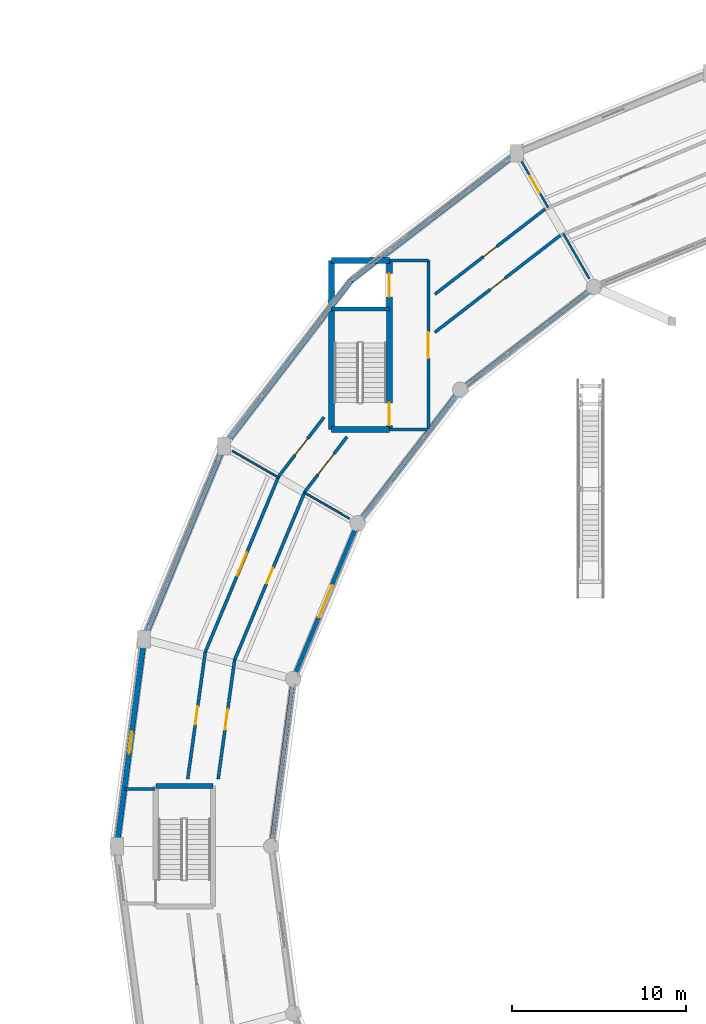
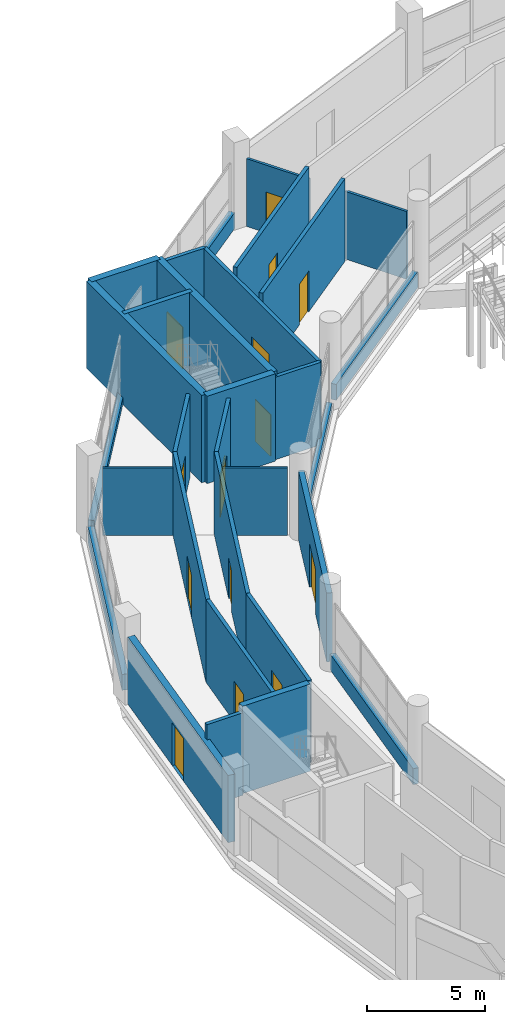
# One storey, part 109 of 129: 30 walls, 14 doors, 14 openings.
"""IFC4 building model written with IfcOpenShell, lengths in metres."""

from ifc_helpers import new_model, si_unit, direction, frame, frame_2d, origin, place, context, subcontext, project, spatial, rectangle, extrude, material, layer, layer_set, type_object, element, fill, save


model = new_model("IFC4")

# Units and contexts
model_context = context("Model", 3, precision=1e-05, world=origin(), true_north=direction((0.0, 1.0)))
body_context = subcontext(model_context, "Body", "Model", "MODEL_VIEW")
ifc_project = project(units=[si_unit("LENGTHUNIT", "METRE"), si_unit("AREAUNIT", "SQUARE_METRE"), si_unit("VOLUMEUNIT", "CUBIC_METRE"), si_unit("PLANEANGLEUNIT", "RADIAN"), si_unit("MASSUNIT", "GRAM", prefix="KILO")], contexts=[model_context])

# Site, building, storey
site_placement = place(None, origin())
site = spatial("IfcSite", under=ifc_project, at=site_placement, CompositionType="ELEMENT")
building_placement = place(site_placement, origin())
building = spatial("IfcBuilding", under=site, at=building_placement, Name="Vespera Passage Community Centre", CompositionType="ELEMENT")
storey_placement = place(building_placement, origin())
storey = spatial("IfcBuildingStorey", under=building, at=storey_placement, Name="L00", CompositionType="ELEMENT", Elevation=0.0)

# Wall
ifc_material_1 = material(Name="Concrete f'c 45 MPa", Category="concrete")
ifc_layer_1 = layer(ifc_material_1, 0.300048828125)
ifc_layer_set_1 = layer_set([ifc_layer_1], Name="Concrete f'c 45 MPa")
wall_type_1 = type_object("IfcWallType", Name="WT-CORE-300I", PredefinedType="SHEAR", material=ifc_layer_set_1)
wall_1_placement = place(storey_placement, frame((34.14990234375, 68.97509765625, 0.0), z_axis=(0.0, 0.0, 1.0), x_axis=(1.0, 0.0, 0.0)))
element("IfcWall", 1, at=wall_1_placement, inside=storey, type_object=wall_type_1, Name="Core C2 L00 Shear Wall RIGHT", PredefinedType="SHEAR", context=body_context, shape_type="SweptSolid", body=[
    extrude(rectangle(XDim=3.300048828125, YDim=0.300048828125, at=frame_2d((1.64990234375, 0.0))), origin(), (0.0, 0.0, 1.0), 4.5),
])

# Wall, openings, doors
ifc_material_2 = material(Name="Concrete f'c 45 MPa", Category="concrete")
ifc_layer_2 = layer(ifc_material_2, 0.340087890625)
ifc_layer_set_2 = layer_set([ifc_layer_2], Name="Concrete f'c 45 MPa")
wall_type_2 = type_object("IfcWallType", Name="WT-CORE-340I", PredefinedType="SHEAR", material=ifc_layer_set_2)
wall_2_placement = place(storey_placement, frame((47.60302734375, 99.238037109375, 0.0), z_axis=(0.0, 0.0, 1.0), x_axis=(0.0, -1.0, 0.0)))
wall_2 = element("IfcWall", 2, at=wall_2_placement, inside=storey, type_object=wall_type_2, Name="Core C1 L00 Shear Wall FRONT", PredefinedType="SHEAR", context=body_context, shape_type="SweptSolid", body=[
    extrude(rectangle(XDim=9.72998046875, YDim=0.340087890625, at=frame_2d((4.864990234375, 0.0))), origin(), (0.0, 0.0, 1.0), 4.5),
])
opening_1_placement = place(wall_2_placement, frame((8.18994140625, 0.0, 0.0)))
opening_1 = element("IfcOpeningElement", 3, at=opening_1_placement, cuts=wall_2, Name="Opening DT-STAIR-130", PredefinedType="OPENING", context=body_context, shape_type="SweptSolid", body=[
    extrude(rectangle(XDim=1.300048828125, YDim=2.14990234375, at=frame_2d((0.64990234375, 1.074951171875))), frame((0.0, 0.179931640625, 0.0), z_axis=(0.0, -1.0, 0.0), x_axis=(1.0, 0.0, 0.0)), (0.0, 0.0, 1.0), 0.360107421875),
])
opening_2_placement = place(wall_2_placement, frame((0.7451171875, 0.0, 0.0)))
opening_2 = element("IfcOpeningElement", 4, at=opening_2_placement, cuts=wall_2, Name="Opening DT-LIFT-135", PredefinedType="OPENING", context=body_context, shape_type="SweptSolid", body=[
    extrude(rectangle(XDim=1.35009765625, YDim=2.14990234375, at=frame_2d((0.675048828125, 1.074951171875))), frame((0.0, 0.179931640625, 0.0), z_axis=(0.0, -1.0, 0.0), x_axis=(1.0, 0.0, 0.0)), (0.0, 0.0, 1.0), 0.360107421875),
])
ifc_material_3 = material(Name="Painted hollow-metal acoustic door", Category="steel")
door_type_1 = type_object("IfcDoorType", Name="DT-LIFT-135", OperationType="NOTDEFINED", PredefinedType="DOOR", material=ifc_material_3)
door_1_placement = place(opening_2_placement, origin())
door_1 = element("IfcDoor", 5, at=door_1_placement, inside=storey, type_object=door_type_1, Name="Elevator EL-03 L00 Landing Door LD-002", OperationType="SLIDING_TO_LEFT", OverallHeight=2.14990234375, OverallWidth=1.35009765625, PredefinedType="DOOR", context=body_context, shape_type="SweptSolid", body=[
    extrude(rectangle(XDim=1.35009765625, YDim=2.14990234375, at=frame_2d((0.675048828125, 1.074951171875))), frame((0.0, 0.02490234375, 0.0), z_axis=(0.0, -1.0, 0.0), x_axis=(1.0, 0.0, 0.0)), (0.0, 0.0, 1.0), 0.050048828125),
])
fill(opening_2, door_1)
ifc_material_4 = material(Name="Painted hollow-metal acoustic door", Category="steel")
door_type_2 = type_object("IfcDoorType", Name="DT-STAIR-130", OperationType="NOTDEFINED", PredefinedType="DOOR", material=ifc_material_4)
door_2_placement = place(opening_1_placement, origin())
door_2 = element("IfcDoor", 6, at=door_2_placement, inside=storey, type_object=door_type_2, Name="Core C1 L00 Exit Stair Door D-050", OperationType="SINGLE_SWING_RIGHT", OverallHeight=2.14990234375, OverallWidth=1.300048828125, PredefinedType="DOOR", context=body_context, shape_type="SweptSolid", body=[
    extrude(rectangle(XDim=1.300048828125, YDim=2.14990234375, at=frame_2d((0.64990234375, 1.074951171875))), frame((0.0, 0.02490234375, 0.0), z_axis=(0.0, -1.0, 0.0), x_axis=(1.0, 0.0, 0.0)), (0.0, 0.0, 1.0), 0.050048828125),
])
fill(opening_1, door_2)

# Walls
wall_3_placement = place(storey_placement, frame((47.60302734375, 89.508056640625, 0.0), z_axis=(0.0, 0.0, 1.0), x_axis=(-1.0, 0.0, 0.0)))
element("IfcWall", 7, at=wall_3_placement, inside=storey, type_object=wall_type_2, Name="Core C1 L00 Shear Wall LEFT", PredefinedType="SHEAR", context=body_context, shape_type="SweptSolid", body=[
    extrude(rectangle(XDim=3.340087890625, YDim=0.340087890625, at=frame_2d((1.669921875, 0.0))), origin(), (0.0, 0.0, 1.0), 4.5),
])
wall_4_placement = place(storey_placement, frame((44.262939453125, 89.508056640625, 0.0), z_axis=(0.0, 0.0, 1.0), x_axis=(0.0, 1.0, 0.0)))
element("IfcWall", 8, at=wall_4_placement, inside=storey, type_object=wall_type_2, Name="Core C1 L00 Shear Wall BACK", PredefinedType="SHEAR", context=body_context, shape_type="SweptSolid", body=[
    extrude(rectangle(XDim=9.72998046875, YDim=0.340087890625, at=frame_2d((4.864990234375, 0.0))), origin(), (0.0, 0.0, 1.0), 4.5),
])
wall_5_placement = place(storey_placement, frame((44.262939453125, 99.238037109375, 0.0), z_axis=(0.0, 0.0, 1.0), x_axis=(1.0, 0.0, 0.0)))
element("IfcWall", 9, at=wall_5_placement, inside=storey, type_object=wall_type_2, Name="Core C1 L00 Shear Wall RIGHT", PredefinedType="SHEAR", context=body_context, shape_type="SweptSolid", body=[
    extrude(rectangle(XDim=3.340087890625, YDim=0.340087890625, at=frame_2d((1.669921875, 0.0))), origin(), (0.0, 0.0, 1.0), 4.5),
])

# Wall, opening, door
ifc_material_5 = material(Name="Gypsum board acoustic stud partition")
ifc_layer_3 = layer(ifc_material_5, 0.179931640625)
ifc_layer_set_3 = layer_set([ifc_layer_3], Name="Gypsum board acoustic stud partition")
wall_type_3 = type_object("IfcWallType", Name="WT-CORR-180I", PredefinedType="PARTITIONING", material=ifc_layer_set_3)
wall_6_placement = place(storey_placement, frame((49.85302734375, 89.508056640625, 0.0), z_axis=(0.0, 0.0, 1.0), x_axis=(0.0, 1.0, 0.0)))
wall_6 = element("IfcWall", 10, at=wall_6_placement, inside=storey, type_object=wall_type_3, Name="Core C1 L00 Lift Lobby Front Wall", PredefinedType="PARTITIONING", context=body_context, shape_type="SweptSolid", body=[
    extrude(rectangle(XDim=9.72998046875, YDim=0.179931640625, at=frame_2d((4.864990234375, 0.0))), origin(), (0.0, 0.0, 1.0), 4.2548828125),
])
opening_3_placement = place(wall_6_placement, frame((4.114990234375, 0.0, 0.0)))
opening_3 = element("IfcOpeningElement", 11, at=opening_3_placement, cuts=wall_6, Name="Opening DT-CORR-150", PredefinedType="OPENING", context=body_context, shape_type="SweptSolid", body=[
    extrude(rectangle(XDim=1.5, YDim=2.14990234375, at=frame_2d((0.75, 1.074951171875))), frame((0.0, 0.099853515625, 0.0), z_axis=(0.0, -1.0, 0.0), x_axis=(1.0, 0.0, 0.0)), (0.0, 0.0, 1.0), 0.199951171875),
])
ifc_material_6 = material(Name="Painted hollow-metal acoustic door", Category="steel")
door_type_3 = type_object("IfcDoorType", Name="DT-CORR-150", OperationType="NOTDEFINED", PredefinedType="DOOR", material=ifc_material_6)
door_3_placement = place(opening_3_placement, origin())
door_3 = element("IfcDoor", 12, at=door_3_placement, inside=storey, type_object=door_type_3, Name="Core C1 L00 Lift Lobby Door D-051", OperationType="SINGLE_SWING_LEFT", OverallHeight=2.14990234375, OverallWidth=1.5, PredefinedType="DOOR", context=body_context, shape_type="SweptSolid", body=[
    extrude(rectangle(XDim=1.5, YDim=2.14990234375, at=frame_2d((0.75, 1.074951171875))), frame((0.0, 0.02490234375, 0.0), z_axis=(0.0, -1.0, 0.0), x_axis=(1.0, 0.0, 0.0)), (0.0, 0.0, 1.0), 0.050048828125),
])
fill(opening_3, door_3)

# Walls
for number, where, z_axis, x_axis, name in (
    (13, (47.60302734375, 89.508056640625, 0.0), (0.0, 0.0, 1.0), (1.0, 0.0, 0.0), "Core C1 L00 Lift Lobby Side Wall L"),
    (14, (47.60302734375, 99.238037109375, 0.0), (0.0, 0.0, 1.0), (1.0, 0.0, 0.0), "Core C1 L00 Lift Lobby Side Wall R"),
):
    element("IfcWall", number, at=place(storey_placement, frame(where, z_axis=z_axis, x_axis=x_axis)), inside=storey, type_object=wall_type_3, Name=name, PredefinedType="PARTITIONING", context=body_context, shape_type="SweptSolid", body=[
        extrude(rectangle(XDim=2.25, YDim=0.179931640625, at=frame_2d((1.125, 0.0))), origin(), (0.0, 0.0, 1.0), 4.2548828125),
    ])
wall_7_placement = place(storey_placement, frame((32.35009765625, 68.800048828125, 0.0), z_axis=(0.0, 0.0, 1.0), x_axis=(1.0, 0.0, 0.0)))
element("IfcWall", 15, at=wall_7_placement, inside=storey, type_object=wall_type_3, Name="L00 Protected Exit Passageway Wall EP1-N", PredefinedType="PARTITIONING", context=body_context, shape_type="SweptSolid", body=[
    extrude(rectangle(XDim=1.75, YDim=0.179931640625, at=frame_2d((0.875, 0.0))), origin(), (0.0, 0.0, 1.0), 4.2548828125),
])

# Wall, opening, door
wall_8_placement = place(storey_placement, frame((56.574951171875, 102.20458984375, 0.0), z_axis=(0.0, 0.0, 1.0), x_axis=(-0.791414761664, -0.61127953918, 0.0)))
wall_8 = element("IfcWall", 16, at=wall_8_placement, inside=storey, type_object=wall_type_3, Name="L00 Interior Partition V4-L00-CO05.1", PredefinedType="PARTITIONING", context=body_context, shape_type="SweptSolid", body=[
    extrude(rectangle(XDim=8.026123046875, YDim=0.179931640625, at=frame_2d((4.01318359375, 0.0))), origin(), (0.0, 0.0, 1.0), 4.2548828125),
])
opening_4_placement = place(wall_8_placement, frame((3.5380859375, 0.0, 0.0)))
opening_4 = element("IfcOpeningElement", 17, at=opening_4_placement, cuts=wall_8, Name="Opening DT-CORR-95", PredefinedType="OPENING", context=body_context, shape_type="SweptSolid", body=[
    extrude(rectangle(XDim=0.949951171875, YDim=2.10009765625, at=frame_2d((0.47509765625, 1.050048828125))), frame((0.0, 0.099853515625, 0.0), z_axis=(0.0, -1.0, 0.0), x_axis=(1.0, 0.0, 0.0)), (0.0, 0.0, 1.0), 0.199951171875),
])
ifc_material_7 = material(Name="Painted hollow-metal acoustic door", Category="steel")
door_type_4 = type_object("IfcDoorType", Name="DT-CORR-95", OperationType="NOTDEFINED", PredefinedType="DOOR", material=ifc_material_7)
door_4_placement = place(opening_4_placement, origin())
door_4 = element("IfcDoor", 18, at=door_4_placement, inside=storey, type_object=door_type_4, Name="L00 Interior Door D-148", OperationType="SINGLE_SWING_RIGHT", OverallHeight=2.10009765625, OverallWidth=0.949951171875, PredefinedType="DOOR", context=body_context, shape_type="SweptSolid", body=[
    extrude(rectangle(XDim=0.949951171875, YDim=2.10009765625, at=frame_2d((0.47509765625, 1.050048828125))), frame((0.0, 0.02490234375, 0.0), z_axis=(0.0, -1.0, 0.0), x_axis=(1.0, 0.0, 0.0)), (0.0, 0.0, 1.0), 0.050048828125),
])
fill(opening_4, door_4)

wall_9_placement = place(storey_placement, frame((57.457275390625, 100.693115234375, 0.0), z_axis=(0.0, 0.0, 1.0), x_axis=(-0.79142007835, -0.611272655683, 0.0)))
wall_9 = element("IfcWall", 19, at=wall_9_placement, inside=storey, type_object=wall_type_3, Name="L00 Interior Partition V4-L00-CI05.1", PredefinedType="PARTITIONING", context=body_context, shape_type="SweptSolid", body=[
    extrude(rectangle(XDim=9.14111328125, YDim=0.179931640625, at=frame_2d((4.570556640625, 0.0))), origin(), (0.0, 0.0, 1.0), 4.2548828125),
])
opening_5_placement = place(wall_9_placement, frame((4.04541015625, 0.0, 0.0)))
opening_5 = element("IfcOpeningElement", 20, at=opening_5_placement, cuts=wall_9, Name="Opening DT-CORR-105", PredefinedType="OPENING", context=body_context, shape_type="SweptSolid", body=[
    extrude(rectangle(XDim=1.050048828125, YDim=2.10009765625, at=frame_2d((0.52490234375, 1.050048828125))), frame((0.0, 0.099853515625, 0.0), z_axis=(0.0, -1.0, 0.0), x_axis=(1.0, 0.0, 0.0)), (0.0, 0.0, 1.0), 0.199951171875),
])
ifc_material_8 = material(Name="Painted hollow-metal acoustic door", Category="steel")
door_type_5 = type_object("IfcDoorType", Name="DT-CORR-105", OperationType="NOTDEFINED", PredefinedType="DOOR", material=ifc_material_8)
door_5_placement = place(opening_5_placement, origin())
door_5 = element("IfcDoor", 21, at=door_5_placement, inside=storey, type_object=door_type_5, Name="L00 Interior Door D-149", OperationType="SINGLE_SWING_LEFT", OverallHeight=2.10009765625, OverallWidth=1.050048828125, PredefinedType="DOOR", context=body_context, shape_type="SweptSolid", body=[
    extrude(rectangle(XDim=1.050048828125, YDim=2.10009765625, at=frame_2d((0.52490234375, 1.050048828125))), frame((0.0, 0.02490234375, 0.0), z_axis=(0.0, -1.0, 0.0), x_axis=(1.0, 0.0, 0.0)), (0.0, 0.0, 1.0), 0.050048828125),
])
fill(opening_5, door_5)

wall_10_placement = place(storey_placement, frame((43.843017578125, 90.216796875, 0.0), z_axis=(0.0, 0.0, 1.0), x_axis=(-0.608738105254, -0.793371236693, 0.0)))
wall_10 = element("IfcWall", 22, at=wall_10_placement, inside=storey, type_object=wall_type_3, Name="L00 Interior Partition V4-L00-CO06.1", PredefinedType="PARTITIONING", context=body_context, shape_type="SweptSolid", body=[
    extrude(rectangle(XDim=4.296142578125, YDim=0.179931640625, at=frame_2d((2.14794921875, 0.0))), origin(), (0.0, 0.0, 1.0), 4.2548828125),
])
opening_6_placement = place(wall_10_placement, frame((1.548095703125, 0.0, 0.0)))
opening_6 = element("IfcOpeningElement", 23, at=opening_6_placement, cuts=wall_10, Name="Opening DT-CORR-120", PredefinedType="OPENING", context=body_context, shape_type="SweptSolid", body=[
    extrude(rectangle(XDim=1.199951171875, YDim=2.14990234375, at=frame_2d((0.60009765625, 1.074951171875))), frame((0.0, 0.099853515625, 0.0), z_axis=(0.0, -1.0, 0.0), x_axis=(1.0, 0.0, 0.0)), (0.0, 0.0, 1.0), 0.199951171875),
])
ifc_material_9 = material(Name="Painted hollow-metal acoustic door", Category="steel")
door_type_6 = type_object("IfcDoorType", Name="DT-CORR-120", OperationType="NOTDEFINED", PredefinedType="DOOR", material=ifc_material_9)
door_6_placement = place(opening_6_placement, origin())
door_6 = element("IfcDoor", 24, at=door_6_placement, inside=storey, type_object=door_type_6, Name="L00 Interior Door D-150", OperationType="SINGLE_SWING_RIGHT", OverallHeight=2.14990234375, OverallWidth=1.199951171875, PredefinedType="DOOR", context=body_context, shape_type="SweptSolid", body=[
    extrude(rectangle(XDim=1.199951171875, YDim=2.14990234375, at=frame_2d((0.60009765625, 1.074951171875))), frame((0.0, 0.02490234375, 0.0), z_axis=(0.0, -1.0, 0.0), x_axis=(1.0, 0.0, 0.0)), (0.0, 0.0, 1.0), 0.050048828125),
])
fill(opening_6, door_6)

wall_11_placement = place(storey_placement, frame((45.164306640625, 89.087890625, 0.0), z_axis=(0.0, 0.0, 1.0), x_axis=(-0.608788255247, -0.793332755074, 0.0)))
wall_11 = element("IfcWall", 25, at=wall_11_placement, inside=storey, type_object=wall_type_3, Name="L00 Interior Partition V4-L00-CI06.1", PredefinedType="PARTITIONING", context=body_context, shape_type="SweptSolid", body=[
    extrude(rectangle(XDim=3.9794921875, YDim=0.179931640625, at=frame_2d((1.98974609375, 0.0))), origin(), (0.0, 0.0, 1.0), 4.2548828125),
])
opening_7_placement = place(wall_11_placement, frame((1.23974609375, 0.0, 0.0)))
opening_7 = element("IfcOpeningElement", 26, at=opening_7_placement, cuts=wall_11, Name="Opening DT-CORR-150", PredefinedType="OPENING", context=body_context, shape_type="SweptSolid", body=[
    extrude(rectangle(XDim=1.5, YDim=2.14990234375, at=frame_2d((0.75, 1.074951171875))), frame((0.0, 0.099853515625, 0.0), z_axis=(0.0, -1.0, 0.0), x_axis=(1.0, 0.0, 0.0)), (0.0, 0.0, 1.0), 0.199951171875),
])
door_7_placement = place(opening_7_placement, origin())
door_7 = element("IfcDoor", 27, at=door_7_placement, inside=storey, type_object=door_type_3, Name="L00 Interior Door D-151", OperationType="SINGLE_SWING_LEFT", OverallHeight=2.14990234375, OverallWidth=1.5, PredefinedType="DOOR", context=body_context, shape_type="SweptSolid", body=[
    extrude(rectangle(XDim=1.5, YDim=2.14990234375, at=frame_2d((0.75, 1.074951171875))), frame((0.0, 0.02490234375, 0.0), z_axis=(0.0, -1.0, 0.0), x_axis=(1.0, 0.0, 0.0)), (0.0, 0.0, 1.0), 0.050048828125),
])
fill(opening_7, door_7)

wall_12_placement = place(storey_placement, frame((41.227783203125, 86.808349609375, 0.0), z_axis=(0.0, 0.0, 1.0), x_axis=(-0.385621022036, -0.922657264299, 0.0)))
wall_12 = element("IfcWall", 28, at=wall_12_placement, inside=storey, type_object=wall_type_3, Name="L00 Interior Partition V4-L00-CO07.1", PredefinedType="PARTITIONING", context=body_context, shape_type="SweptSolid", body=[
    extrude(rectangle(XDim=10.9609375, YDim=0.179931640625, at=frame_2d((5.48046875, 0.0))), origin(), (0.0, 0.0, 1.0), 4.2548828125),
])
opening_8_placement = place(wall_12_placement, frame((4.755615234375, 0.0, 0.0)))
opening_8 = element("IfcOpeningElement", 29, at=opening_8_placement, cuts=wall_12, Name="Opening DT-PLANT-145", PredefinedType="OPENING", context=body_context, shape_type="SweptSolid", body=[
    extrude(rectangle(XDim=1.449951171875, YDim=2.199951171875, at=frame_2d((0.72509765625, 1.10009765625))), frame((0.0, 0.099853515625, 0.0), z_axis=(0.0, -1.0, 0.0), x_axis=(1.0, 0.0, 0.0)), (0.0, 0.0, 1.0), 0.199951171875),
])
ifc_material_10 = material(Name="Painted hollow-metal acoustic door", Category="steel")
door_type_7 = type_object("IfcDoorType", Name="DT-PLANT-145", OperationType="NOTDEFINED", PredefinedType="DOOR", material=ifc_material_10)
door_8_placement = place(opening_8_placement, origin())
door_8 = element("IfcDoor", 30, at=door_8_placement, inside=storey, type_object=door_type_7, Name="L00 Interior Door D-152", OperationType="SINGLE_SWING_RIGHT", OverallHeight=2.199951171875, OverallWidth=1.449951171875, PredefinedType="DOOR", context=body_context, shape_type="SweptSolid", body=[
    extrude(rectangle(XDim=1.449951171875, YDim=2.199951171875, at=frame_2d((0.72509765625, 1.10009765625))), frame((0.0, 0.02490234375, 0.0), z_axis=(0.0, -1.0, 0.0), x_axis=(1.0, 0.0, 0.0)), (0.0, 0.0, 1.0), 0.050048828125),
])
fill(opening_8, door_8)

wall_13_placement = place(storey_placement, frame((42.74169921875, 85.930908203125, 0.0), z_axis=(0.0, 0.0, 1.0), x_axis=(-0.385601563936, -0.922665396495, 0.0)))
wall_13 = element("IfcWall", 31, at=wall_13_placement, inside=storey, type_object=wall_type_3, Name="L00 Interior Partition V4-L00-CI07.1", PredefinedType="PARTITIONING", context=body_context, shape_type="SweptSolid", body=[
    extrude(rectangle(XDim=10.509521484375, YDim=0.179931640625, at=frame_2d((5.2548828125, 0.0))), origin(), (0.0, 0.0, 1.0), 4.2548828125),
])
opening_9_placement = place(wall_13_placement, frame((4.77978515625, 0.0, 0.0)))
opening_9 = element("IfcOpeningElement", 32, at=opening_9_placement, cuts=wall_13, Name="Opening DT-CORR-95", PredefinedType="OPENING", context=body_context, shape_type="SweptSolid", body=[
    extrude(rectangle(XDim=0.949951171875, YDim=2.10009765625, at=frame_2d((0.47509765625, 1.050048828125))), frame((0.0, 0.099853515625, 0.0), z_axis=(0.0, -1.0, 0.0), x_axis=(1.0, 0.0, 0.0)), (0.0, 0.0, 1.0), 0.199951171875),
])
door_9_placement = place(opening_9_placement, origin())
door_9 = element("IfcDoor", 33, at=door_9_placement, inside=storey, type_object=door_type_4, Name="L00 Interior Door D-153", OperationType="SINGLE_SWING_LEFT", OverallHeight=2.10009765625, OverallWidth=0.949951171875, PredefinedType="DOOR", context=body_context, shape_type="SweptSolid", body=[
    extrude(rectangle(XDim=0.949951171875, YDim=2.10009765625, at=frame_2d((0.47509765625, 1.050048828125))), frame((0.0, 0.02490234375, 0.0), z_axis=(0.0, -1.0, 0.0), x_axis=(1.0, 0.0, 0.0)), (0.0, 0.0, 1.0), 0.050048828125),
])
fill(opening_9, door_9)

wall_14_placement = place(storey_placement, frame((37.0009765625, 76.695068359375, 0.0), z_axis=(0.0, 0.0, 1.0), x_axis=(-0.136812919882, -0.990596903363, 0.0)))
wall_14 = element("IfcWall", 34, at=wall_14_placement, inside=storey, type_object=wall_type_3, Name="L00 Interior Partition V4-L00-CO08.1", PredefinedType="PARTITIONING", context=body_context, shape_type="SweptSolid", body=[
    extrude(rectangle(XDim=7.3896484375, YDim=0.179931640625, at=frame_2d((3.69482421875, 0.0))), origin(), (0.0, 0.0, 1.0), 4.2548828125),
])
opening_10_placement = place(wall_14_placement, frame((3.169921875, 0.0, 0.0)))
opening_10 = element("IfcOpeningElement", 35, at=opening_10_placement, cuts=wall_14, Name="Opening DT-CORR-105", PredefinedType="OPENING", context=body_context, shape_type="SweptSolid", body=[
    extrude(rectangle(XDim=1.050048828125, YDim=2.10009765625, at=frame_2d((0.52490234375, 1.050048828125))), frame((0.0, 0.099853515625, 0.0), z_axis=(0.0, -1.0, 0.0), x_axis=(1.0, 0.0, 0.0)), (0.0, 0.0, 1.0), 0.199951171875),
])
door_10_placement = place(opening_10_placement, origin())
door_10 = element("IfcDoor", 36, at=door_10_placement, inside=storey, type_object=door_type_5, Name="L00 Interior Door D-154", OperationType="SINGLE_SWING_RIGHT", OverallHeight=2.10009765625, OverallWidth=1.050048828125, PredefinedType="DOOR", context=body_context, shape_type="SweptSolid", body=[
    extrude(rectangle(XDim=1.050048828125, YDim=2.10009765625, at=frame_2d((0.52490234375, 1.050048828125))), frame((0.0, 0.02490234375, 0.0), z_axis=(0.0, -1.0, 0.0), x_axis=(1.0, 0.0, 0.0)), (0.0, 0.0, 1.0), 0.050048828125),
])
fill(opening_10, door_10)

wall_15_placement = place(storey_placement, frame((38.689208984375, 76.234130859375, 0.0), z_axis=(0.0, 0.0, 1.0), x_axis=(-0.136839031307, -0.990593296722, 0.0)))
wall_15 = element("IfcWall", 37, at=wall_15_placement, inside=storey, type_object=wall_type_3, Name="L00 Interior Partition V4-L00-CI08.1", PredefinedType="PARTITIONING", context=body_context, shape_type="SweptSolid", body=[
    extrude(rectangle(XDim=6.92431640625, YDim=0.179931640625, at=frame_2d((3.462158203125, 0.0))), origin(), (0.0, 0.0, 1.0), 4.2548828125),
])
opening_11_placement = place(wall_15_placement, frame((2.862060546875, 0.0, 0.0)))
opening_11 = element("IfcOpeningElement", 38, at=opening_11_placement, cuts=wall_15, Name="Opening DT-CORR-120", PredefinedType="OPENING", context=body_context, shape_type="SweptSolid", body=[
    extrude(rectangle(XDim=1.199951171875, YDim=2.14990234375, at=frame_2d((0.60009765625, 1.074951171875))), frame((0.0, 0.099853515625, 0.0), z_axis=(0.0, -1.0, 0.0), x_axis=(1.0, 0.0, 0.0)), (0.0, 0.0, 1.0), 0.199951171875),
])
door_11_placement = place(opening_11_placement, origin())
door_11 = element("IfcDoor", 39, at=door_11_placement, inside=storey, type_object=door_type_6, Name="L00 Interior Door D-155", OperationType="SINGLE_SWING_LEFT", OverallHeight=2.14990234375, OverallWidth=1.199951171875, PredefinedType="DOOR", context=body_context, shape_type="SweptSolid", body=[
    extrude(rectangle(XDim=1.199951171875, YDim=2.14990234375, at=frame_2d((0.60009765625, 1.074951171875))), frame((0.0, 0.02490234375, 0.0), z_axis=(0.0, -1.0, 0.0), x_axis=(1.0, 0.0, 0.0)), (0.0, 0.0, 1.0), 0.050048828125),
])
fill(opening_11, door_11)

# Walls
ifc_material_11 = material(Name="Concrete f'c 45 MPa", Category="concrete")
ifc_layer_4 = layer(ifc_material_11, 0.239990234375)
ifc_layer_set_4 = layer_set([ifc_layer_4], Name="Concrete f'c 45 MPa")
wall_type_4 = type_object("IfcWallType", Name="WT-DIV-240I", PredefinedType="SHEAR", material=ifc_layer_set_4)
wall_16_placement = place(storey_placement, frame((47.60302734375, 96.447998046875, 0.0), z_axis=(0.0, 0.0, 1.0), x_axis=(-1.0, 0.0, 0.0)))
element("IfcWall", 40, at=wall_16_placement, inside=storey, type_object=wall_type_4, Name="Core C1 L00 Hoistway Divider Wall", PredefinedType="SHEAR", context=body_context, shape_type="SweptSolid", body=[
    extrude(rectangle(XDim=3.340087890625, YDim=0.239990234375, at=frame_2d((1.669921875, 0.0))), origin(), (0.0, 0.0, 1.0), 4.5),
])
ifc_material_12 = material(Name="Precast concrete f'c 40 MPa", Category="concrete")
ifc_layer_5 = layer(ifc_material_12, 0.25)
ifc_layer_set_5 = layer_set([ifc_layer_5], Name="Precast concrete f'c 40 MPa")
wall_type_5 = type_object("IfcWallType", Name="WT-EXT-250E", PredefinedType="STANDARD", material=ifc_layer_set_5)
wall_17_placement = place(storey_placement, frame((59.119873046875, 97.501220703125, 0.0), z_axis=(0.0, 0.0, 1.0), x_axis=(-0.793347085527, -0.608769580289, 0.0)))
element("IfcWall", 41, at=wall_17_placement, inside=storey, type_object=wall_type_5, Name="V4 L00 Court Spandrel Wall I8", PredefinedType="STANDARD", context=body_context, shape_type="SweptSolid", body=[
    extrude(rectangle(XDim=9.0048828125, YDim=0.25, at=frame_2d((4.50244140625, 0.0))), origin(), (0.0, 0.0, 1.0), 0.820068359375),
])
wall_18_placement = place(storey_placement, frame((51.480712890625, 91.524169921875, 0.0), z_axis=(0.0, 0.0, 1.0), x_axis=(-0.608769580289, -0.793347085527, 0.0)))
element("IfcWall", 42, at=wall_18_placement, inside=storey, type_object=wall_type_5, Name="V4 L00 Court Spandrel Wall I9", PredefinedType="STANDARD", context=body_context, shape_type="SweptSolid", body=[
    extrude(rectangle(XDim=9.0048828125, YDim=0.25, at=frame_2d((4.50244140625, 0.0))), origin(), (0.0, 0.0, 1.0), 0.35009765625),
])

# Wall, opening, door
wall_19_placement = place(storey_placement, frame((45.669189453125, 83.822998046875, 0.0), z_axis=(0.0, 0.0, 1.0), x_axis=(-0.382681519675, -0.923880324771, 0.0)))
wall_19 = element("IfcWall", 43, at=wall_19_placement, inside=storey, type_object=wall_type_5, Name="V4 L00 Inner Court Precast Wall 10", PredefinedType="STANDARD", context=body_context, shape_type="SweptSolid", body=[
    extrude(rectangle(XDim=9.111572265625, YDim=0.25, at=frame_2d((4.5556640625, 0.0))), origin(), (0.0, 0.0, 1.0), 3.54931640625),
])
opening_12_placement = place(wall_19_placement, frame((3.555908203125, 0.0, 0.0)))
opening_12 = element("IfcOpeningElement", 44, at=opening_12_placement, cuts=wall_19, Name="Opening DT-E06", PredefinedType="OPENING", context=body_context, shape_type="SweptSolid", body=[
    extrude(rectangle(XDim=2.0, YDim=2.300048828125, at=frame_2d((1.0, 1.14990234375))), frame((0.0, 0.135009765625, 0.0), z_axis=(0.0, -1.0, 0.0), x_axis=(1.0, 0.0, 0.0)), (0.0, 0.0, 1.0), 0.27001953125),
])
ifc_material_13 = material(Name="Anodized aluminium 6063-T6", Category="aluminium")
door_type_8 = type_object("IfcDoorType", Name="DT-E06", OperationType="NOTDEFINED", PredefinedType="DOOR", material=ifc_material_13)
door_12_placement = place(opening_12_placement, origin())
door_12 = element("IfcDoor", 45, at=door_12_placement, inside=storey, type_object=door_type_8, Name="Sun Court Portal Exit Door I10", OperationType="SINGLE_SWING_LEFT", OverallHeight=2.300048828125, OverallWidth=2.0, PredefinedType="DOOR", context=body_context, shape_type="SweptSolid", body=[
    extrude(rectangle(XDim=2.0, YDim=2.300048828125, at=frame_2d((1.0, 1.14990234375))), frame((0.0, 0.02490234375, 0.0), z_axis=(0.0, -1.0, 0.0), x_axis=(1.0, 0.0, 0.0)), (0.0, 0.0, 1.0), 0.050048828125),
])
fill(opening_12, door_12)

# Walls
wall_20_placement = place(storey_placement, frame((42.031494140625, 74.852783203125, 0.0), z_axis=(0.0, 0.0, 1.0), x_axis=(-0.130549698469, -0.991441766434, 0.0)))
element("IfcWall", 46, at=wall_20_placement, inside=storey, type_object=wall_type_5, Name="V4 L00 Court Spandrel Wall I11", PredefinedType="STANDARD", context=body_context, shape_type="SweptSolid", body=[
    extrude(rectangle(XDim=9.156005859375, YDim=0.25, at=frame_2d((4.578125, 0.0))), origin(), (0.0, 0.0, 1.0), 0.820068359375),
])
ifc_material_14 = material(Name="Precast concrete f'c 40 MPa", Category="concrete")
ifc_layer_6 = layer(ifc_material_14, 0.280029296875)
ifc_layer_set_6 = layer_set([ifc_layer_6], Name="Precast concrete f'c 40 MPa")
wall_type_6 = type_object("IfcWallType", Name="WT-EXT-280E", PredefinedType="STANDARD", material=ifc_layer_set_6)
wall_21_placement = place(storey_placement, frame((45.40234375, 98.09765625, 0.0), z_axis=(0.0, 0.0, 1.0), x_axis=(0.793347191248, 0.608769442514, 0.0)))
element("IfcWall", 47, at=wall_21_placement, inside=storey, type_object=wall_type_6, Name="V4 L00 Spandrel Wall O8", PredefinedType="STANDARD", context=body_context, shape_type="SweptSolid", body=[
    extrude(rectangle(XDim=11.5869140625, YDim=0.280029296875, at=frame_2d((5.79345703125, 0.0))), origin(), (0.0, 0.0, 1.0), 0.820068359375),
])
wall_22_placement = place(storey_placement, frame((38.43603515625, 89.018798828125, 0.0), z_axis=(0.0, 0.0, 1.0), x_axis=(0.608753523874, 0.793359406052, 0.0)))
element("IfcWall", 48, at=wall_22_placement, inside=storey, type_object=wall_type_6, Name="V4 L00 Spandrel Wall O9", PredefinedType="STANDARD", context=body_context, shape_type="SweptSolid", body=[
    extrude(rectangle(XDim=11.443603515625, YDim=0.280029296875, at=frame_2d((5.7216796875, 0.0))), origin(), (0.0, 0.0, 1.0), 0.35009765625),
])
wall_23_placement = place(storey_placement, frame((33.668212890625, 77.908447265625, 0.0), z_axis=(0.0, 0.0, 1.0), x_axis=(0.382695413149, 0.923874569817, 0.0)))
element("IfcWall", 49, at=wall_23_placement, inside=storey, type_object=wall_type_6, Name="V4 L00 Spandrel Wall O10", PredefinedType="STANDARD", context=body_context, shape_type="SweptSolid", body=[
    extrude(rectangle(XDim=11.002197265625, YDim=0.280029296875, at=frame_2d((5.5009765625, 0.0))), origin(), (0.0, 0.0, 1.0), 0.820068359375),
])

# Wall, opening, door
ifc_material_15 = material(Name="Precast concrete f'c 40 MPa", Category="concrete")
ifc_layer_7 = layer(ifc_material_15, 0.320068359375)
ifc_layer_set_7 = layer_set([ifc_layer_7], Name="Precast concrete f'c 40 MPa")
wall_type_7 = type_object("IfcWallType", Name="WT-EXT-320E", PredefinedType="STANDARD", material=ifc_layer_set_7)
wall_24_placement = place(storey_placement, frame((31.962646484375, 65.97509765625, 0.0), z_axis=(0.0, 0.0, 1.0), x_axis=(0.130513242145, 0.991446566197, 0.0)))
wall_24 = element("IfcWall", 50, at=wall_24_placement, inside=storey, type_object=wall_type_7, Name="V4 L00 Outer Precast Wall 11", PredefinedType="STANDARD", context=body_context, shape_type="SweptSolid", body=[
    extrude(rectangle(XDim=11.075927734375, YDim=0.320068359375, at=frame_2d((5.5380859375, 0.0))), origin(), (0.0, 0.0, 1.0), 3.465576171875),
])
opening_13_placement = place(wall_24_placement, frame((4.9130859375, 0.0, 0.0)))
opening_13 = element("IfcOpeningElement", 51, at=opening_13_placement, cuts=wall_24, Name="Opening DT-E03", PredefinedType="OPENING", context=body_context, shape_type="SweptSolid", body=[
    extrude(rectangle(XDim=1.25, YDim=2.199951171875, at=frame_2d((0.625, 1.10009765625))), frame((0.0, 0.170166015625, 0.0), z_axis=(0.0, -1.0, 0.0), x_axis=(1.0, 0.0, 0.0)), (0.0, 0.0, 1.0), 0.340087890625),
])
ifc_material_16 = material(Name="Anodized aluminium 6063-T6", Category="aluminium")
door_type_9 = type_object("IfcDoorType", Name="DT-E03", OperationType="NOTDEFINED", PredefinedType="DOOR", material=ifc_material_16)
door_13_placement = place(opening_13_placement, origin())
door_13 = element("IfcDoor", 52, at=door_13_placement, inside=storey, type_object=door_type_9, Name="V4 L00 Exterior Exit Door O11", OperationType="SINGLE_SWING_RIGHT", OverallHeight=2.199951171875, OverallWidth=1.25, PredefinedType="DOOR", context=body_context, shape_type="SweptSolid", body=[
    extrude(rectangle(XDim=1.25, YDim=2.199951171875, at=frame_2d((0.625, 1.10009765625))), frame((0.0, 0.02490234375, 0.0), z_axis=(0.0, -1.0, 0.0), x_axis=(1.0, 0.0, 0.0)), (0.0, 0.0, 1.0), 0.050048828125),
])
fill(opening_13, door_13)

# Walls
ifc_material_17 = material(Name="Gypsum board stud partition")
ifc_layer_8 = layer(ifc_material_17, 0.10009765625)
ifc_layer_set_8 = layer_set([ifc_layer_8], Name="Gypsum board stud partition")
wall_type_8 = type_object("IfcWallType", Name="WT-LIGHT-100I", PredefinedType="PARTITIONING", material=ifc_layer_set_8)
wall_25_placement = place(storey_placement, frame((41.19384765625, 86.75, 0.0), z_axis=(0.0, 0.0, 1.0), x_axis=(-0.866037623948, 0.499978833458, 0.0)))
element("IfcWall", 53, at=wall_25_placement, inside=storey, type_object=wall_type_8, Name="L00 Interior Partition V4-L00-RO11-3.1", PredefinedType="PARTITIONING", context=body_context, shape_type="SweptSolid", body=[
    extrude(rectangle(XDim=3.050048828125, YDim=0.10009765625, at=frame_2d((1.52490234375, 0.0))), origin(), (0.0, 0.0, 1.0), 3.4951171875),
])
wall_26_placement = place(storey_placement, frame((45.3076171875, 84.375, 0.0), z_axis=(0.0, 0.0, 1.0), x_axis=(-0.866031096941, 0.499990139034, 0.0)))
element("IfcWall", 54, at=wall_26_placement, inside=storey, type_object=wall_type_8, Name="L00 Interior Partition V4-L00-RI11-3.1", PredefinedType="PARTITIONING", context=body_context, shape_type="SweptSolid", body=[
    extrude(rectangle(XDim=3.0, YDim=0.10009765625, at=frame_2d((1.5, 0.0))), origin(), (0.0, 0.0, 1.0), 3.4951171875),
])

# Wall, opening, door
ifc_material_18 = material(Name="Moisture-resistant gypsum stud partition")
ifc_layer_9 = layer(ifc_material_18, 0.1201171875)
ifc_layer_set_9 = layer_set([ifc_layer_9], Name="Moisture-resistant gypsum stud partition")
wall_type_9 = type_object("IfcWallType", Name="WT-WET-120I", PredefinedType="PARTITIONING", material=ifc_layer_set_9)
wall_27_placement = place(storey_placement, frame((56.75, 102.30615234375, 0.0), z_axis=(0.0, 0.0, 1.0), x_axis=(-0.499978833458, 0.866037623948, 0.0)))
wall_27 = element("IfcWall", 55, at=wall_27_placement, inside=storey, type_object=wall_type_9, Name="L00 Interior Partition V4-L00-RO11-2.1", PredefinedType="PARTITIONING", context=body_context, shape_type="SweptSolid", body=[
    extrude(rectangle(XDim=3.050048828125, YDim=0.1201171875, at=frame_2d((1.52490234375, 0.0))), origin(), (0.0, 0.0, 1.0), 3.4951171875),
])
opening_14_placement = place(wall_27_placement, frame((0.965087890625, 0.0, 0.0)))
opening_14 = element("IfcOpeningElement", 56, at=opening_14_placement, cuts=wall_27, Name="Opening DT-INT-112", PredefinedType="OPENING", context=body_context, shape_type="SweptSolid", body=[
    extrude(rectangle(XDim=1.1201171875, YDim=2.10009765625, at=frame_2d((0.56005859375, 1.050048828125))), frame((0.0, 0.070068359375, 0.0), z_axis=(0.0, -1.0, 0.0), x_axis=(1.0, 0.0, 0.0)), (0.0, 0.0, 1.0), 0.14013671875),
])
ifc_material_19 = material(Name="Solid-core maple veneer door", Category="wood")
door_type_10 = type_object("IfcDoorType", Name="DT-INT-112", OperationType="NOTDEFINED", PredefinedType="DOOR", material=ifc_material_19)
door_14_placement = place(opening_14_placement, origin())
door_14 = element("IfcDoor", 57, at=door_14_placement, inside=storey, type_object=door_type_10, Name="L00 Interior Door D-161", OperationType="SINGLE_SWING_LEFT", OverallHeight=2.10009765625, OverallWidth=1.1201171875, PredefinedType="DOOR", context=body_context, shape_type="SweptSolid", body=[
    extrude(rectangle(XDim=1.1201171875, YDim=2.10009765625, at=frame_2d((0.56005859375, 1.050048828125))), frame((0.0, 0.02490234375, 0.0), z_axis=(0.0, -1.0, 0.0), x_axis=(1.0, 0.0, 0.0)), (0.0, 0.0, 1.0), 0.050048828125),
])
fill(opening_14, door_14)

# Wall
wall_28_placement = place(storey_placement, frame((59.125, 98.1923828125, 0.0), z_axis=(0.0, 0.0, 1.0), x_axis=(-0.499990139034, 0.866031096941, 0.0)))
element("IfcWall", 58, at=wall_28_placement, inside=storey, type_object=wall_type_9, Name="L00 Interior Partition V4-L00-RI11-2.1", PredefinedType="PARTITIONING", context=body_context, shape_type="SweptSolid", body=[
    extrude(rectangle(XDim=3.0, YDim=0.1201171875, at=frame_2d((1.5, 0.0))), origin(), (0.0, 0.0, 1.0), 3.4951171875),
])

save(model, "model.ifc")
